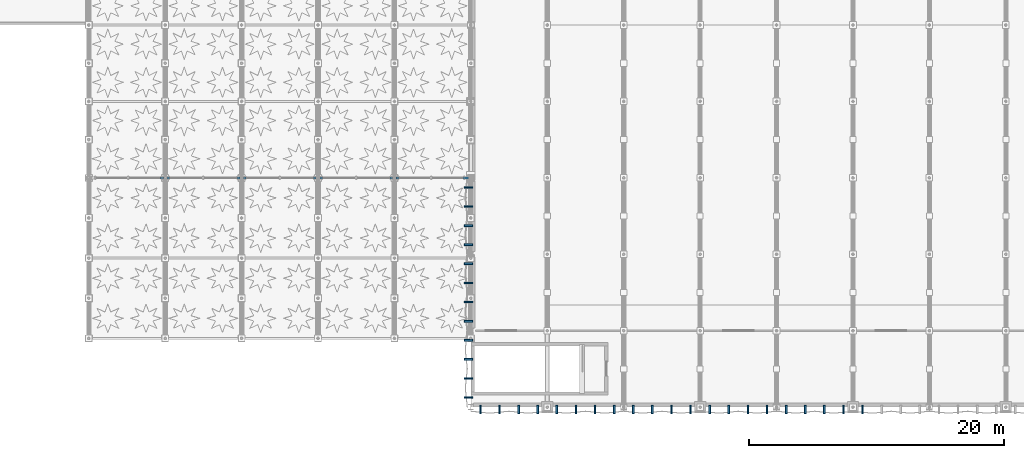
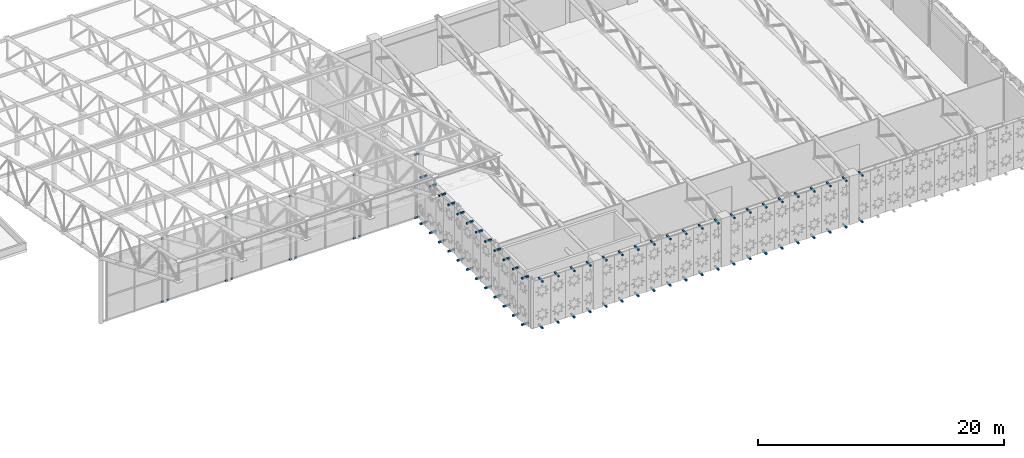
# One storey, part 109 of 123: 84 discrete accessories.
"""IFC4 building model written with IfcOpenShell, lengths in metres."""

from ifc_helpers import new_model, si_unit, direction, frame, origin, origin_2d, place, context, subcontext, project, spatial, rectangle, extrude, material, type_object, element, save


model = new_model("IFC4")

# Units and contexts
model_context = context("Model", 3, precision=1e-05, world=origin(), true_north=direction((0.0, 1.0)))
body_context = subcontext(model_context, "Body", "Model", "MODEL_VIEW")
ifc_project = project(units=[si_unit("LENGTHUNIT", "METRE"), si_unit("AREAUNIT", "SQUARE_METRE"), si_unit("VOLUMEUNIT", "CUBIC_METRE"), si_unit("PLANEANGLEUNIT", "RADIAN"), si_unit("MASSUNIT", "GRAM", prefix="KILO"), si_unit("THERMODYNAMICTEMPERATUREUNIT", "KELVIN"), si_unit("POWERUNIT", "WATT")], contexts=[model_context])

# Site, building, storey
site_placement = place(None, origin())
site = spatial("IfcSite", under=ifc_project, at=site_placement, CompositionType="ELEMENT")
building_placement = place(site_placement, origin())
building = spatial("IfcBuilding", under=site, at=building_placement, Name="Phaisarnlok Congress Hotel", CompositionType="ELEMENT")
storey_placement = place(building_placement, frame((0.0, 0.0, 15.0)))
storey = spatial("IfcBuildingStorey", under=building, at=storey_placement, Name="L03", CompositionType="ELEMENT", Elevation=15.0)

# Discrete accessories
ifc_material = material(Name="Steel S355", Category="steel")
discrete_accessory_type = type_object("IfcDiscreteAccessoryType", Name="ACC-BRK-STL", PredefinedType="BRACKET", material=ifc_material)
for number, where, z_axis, x_axis, name in (
    (1, (71.75, 18.0, 0.0), (0.0, 0.0, 1.0), (1.0, 0.0, 0.0), "Curtain wall steel jamb spider bracket BK-01"),
    (2, (71.75, 18.0, 6.27001953125), (0.0, 0.0, 1.0), (1.0, 0.0, 0.0), "Curtain wall steel jamb spider bracket BK-01"),
    (3, (72.25, 18.0, 0.0), (0.0, 0.0, 1.0), (1.0, 0.0, 0.0), "Curtain wall steel jamb spider bracket BK-01"),
    (4, (72.25, 18.0, 6.27001953125), (0.0, 0.0, 1.0), (1.0, 0.0, 0.0), "Curtain wall steel jamb spider bracket BK-01"),
    (5, (77.75, 18.0, 0.0), (0.0, 0.0, 1.0), (1.0, 0.0, 0.0), "Curtain wall steel jamb spider bracket BK-01"),
    (6, (77.75, 18.0, 6.27001953125), (0.0, 0.0, 1.0), (1.0, 0.0, 0.0), "Curtain wall steel jamb spider bracket BK-01"),
    (7, (78.25, 18.0, 0.0), (0.0, 0.0, 1.0), (1.0, 0.0, 0.0), "Curtain wall steel jamb spider bracket BK-01"),
    (8, (78.25, 18.0, 6.27001953125), (0.0, 0.0, 1.0), (1.0, 0.0, 0.0), "Curtain wall steel jamb spider bracket BK-01"),
    (9, (83.75, 18.0, 0.0), (0.0, 0.0, 1.0), (1.0, 0.0, 0.0), "Curtain wall steel jamb spider bracket BK-01"),
    (10, (83.75, 18.0, 6.27001953125), (0.0, 0.0, 1.0), (1.0, 0.0, 0.0), "Curtain wall steel jamb spider bracket BK-01"),
    (11, (84.25, 18.0, 0.0), (0.0, 0.0, 1.0), (1.0, 0.0, 0.0), "Curtain wall steel jamb spider bracket BK-01"),
    (12, (84.25, 18.0, 6.27001953125), (0.0, 0.0, 1.0), (1.0, 0.0, 0.0), "Curtain wall steel jamb spider bracket BK-01"),
    (13, (89.75, 18.0, 0.0), (0.0, 0.0, 1.0), (1.0, 0.0, 0.0), "Curtain wall steel jamb spider bracket BK-01"),
    (14, (89.75, 18.0, 6.27001953125), (0.0, 0.0, 1.0), (1.0, 0.0, 0.0), "Curtain wall steel jamb spider bracket BK-01"),
    (15, (90.25, 18.0, 0.0), (0.0, 0.0, 1.0), (1.0, 0.0, 0.0), "Curtain wall steel jamb spider bracket BK-01"),
    (16, (90.25, 18.0, 6.27001953125), (0.0, 0.0, 1.0), (1.0, 0.0, 0.0), "Curtain wall steel jamb spider bracket BK-01"),
):
    element("IfcDiscreteAccessory", number, at=place(storey_placement, frame(where, z_axis=z_axis, x_axis=x_axis)), inside=storey, type_object=discrete_accessory_type, Name=name, PredefinedType="BRACKET", context=body_context, shape_type="SweptSolid", body=[
        extrude(rectangle(XDim=0.219970703125, YDim=0.159912109375, at=origin_2d()), origin(), (0.0, 0.0, 1.0), 0.139892578125),
    ])
for number, where, z_axis, x_axis, name in (
    (17, (95.6298828125, 18.0, 0.0), (0.0, 0.0, 1.0), (1.0, 0.0, 0.0), "Curtain wall steel jamb spider bracket BK-01"),
    (18, (95.6298828125, 18.0, 6.27001953125), (0.0, 0.0, 1.0), (1.0, 0.0, 0.0), "Curtain wall steel jamb spider bracket BK-01"),
):
    element("IfcDiscreteAccessory", number, at=place(storey_placement, frame(where, z_axis=z_axis, x_axis=x_axis)), inside=storey, type_object=discrete_accessory_type, Name=name, PredefinedType="BRACKET", context=body_context, shape_type="SweptSolid", body=[
        extrude(rectangle(XDim=0.4599609375, YDim=0.159912109375, at=origin_2d()), origin(), (0.0, 0.0, 1.0), 0.139892578125),
    ])
for number, where, z_axis, x_axis, name in (
    (19, (96.75, -0.183837890625, -0.18017578125), (0.0, 0.0, 1.0), (1.0, 0.0, 0.0), "Solar screen steel outrigger bracket BK-01"),
    (20, (96.75, -0.183837890625, 4.419921875), (0.0, 0.0, 1.0), (1.0, 0.0, 0.0), "Solar screen steel outrigger bracket BK-01"),
    (21, (98.25, -0.183837890625, -0.18017578125), (0.0, 0.0, 1.0), (1.0, 0.0, 0.0), "Solar screen steel outrigger bracket BK-01"),
    (22, (98.25, -0.183837890625, 4.419921875), (0.0, 0.0, 1.0), (1.0, 0.0, 0.0), "Solar screen steel outrigger bracket BK-01"),
    (23, (99.75, -0.183837890625, -0.18017578125), (0.0, 0.0, 1.0), (1.0, 0.0, 0.0), "Solar screen steel outrigger bracket BK-01"),
    (24, (99.75, -0.183837890625, 4.419921875), (0.0, 0.0, 1.0), (1.0, 0.0, 0.0), "Solar screen steel outrigger bracket BK-01"),
    (25, (101.25, -0.183837890625, -0.18017578125), (0.0, 0.0, 1.0), (1.0, 0.0, 0.0), "Solar screen steel outrigger bracket BK-01"),
    (26, (101.25, -0.183837890625, 4.419921875), (0.0, 0.0, 1.0), (1.0, 0.0, 0.0), "Solar screen steel outrigger bracket BK-01"),
    (27, (102.75, -0.183837890625, -0.18017578125), (0.0, 0.0, 1.0), (1.0, 0.0, 0.0), "Solar screen steel outrigger bracket BK-01"),
    (28, (102.75, -0.183837890625, 4.419921875), (0.0, 0.0, 1.0), (1.0, 0.0, 0.0), "Solar screen steel outrigger bracket BK-01"),
    (29, (104.25, -0.183837890625, -0.18017578125), (0.0, 0.0, 1.0), (1.0, 0.0, 0.0), "Solar screen steel outrigger bracket BK-01"),
    (30, (104.25, -0.183837890625, 4.419921875), (0.0, 0.0, 1.0), (1.0, 0.0, 0.0), "Solar screen steel outrigger bracket BK-01"),
    (31, (105.75, -0.183837890625, -0.18017578125), (0.0, 0.0, 1.0), (1.0, 0.0, 0.0), "Solar screen steel outrigger bracket BK-01"),
    (32, (105.75, -0.183837890625, 4.419921875), (0.0, 0.0, 1.0), (1.0, 0.0, 0.0), "Solar screen steel outrigger bracket BK-01"),
    (33, (107.25, -0.183837890625, -0.18017578125), (0.0, 0.0, 1.0), (1.0, 0.0, 0.0), "Solar screen steel outrigger bracket BK-01"),
    (34, (107.25, -0.183837890625, 4.419921875), (0.0, 0.0, 1.0), (1.0, 0.0, 0.0), "Solar screen steel outrigger bracket BK-01"),
    (35, (108.75, -0.183837890625, -0.18017578125), (0.0, 0.0, 1.0), (1.0, 0.0, 0.0), "Solar screen steel outrigger bracket BK-01"),
    (36, (108.75, -0.183837890625, 4.419921875), (0.0, 0.0, 1.0), (1.0, 0.0, 0.0), "Solar screen steel outrigger bracket BK-01"),
    (37, (110.25, -0.183837890625, -0.18017578125), (0.0, 0.0, 1.0), (1.0, 0.0, 0.0), "Solar screen steel outrigger bracket BK-01"),
    (38, (110.25, -0.183837890625, 4.419921875), (0.0, 0.0, 1.0), (1.0, 0.0, 0.0), "Solar screen steel outrigger bracket BK-01"),
    (39, (111.75, -0.183837890625, -0.18017578125), (0.0, 0.0, 1.0), (1.0, 0.0, 0.0), "Solar screen steel outrigger bracket BK-01"),
    (40, (111.75, -0.183837890625, 4.419921875), (0.0, 0.0, 1.0), (1.0, 0.0, 0.0), "Solar screen steel outrigger bracket BK-01"),
    (41, (113.25, -0.183837890625, -0.18017578125), (0.0, 0.0, 1.0), (1.0, 0.0, 0.0), "Solar screen steel outrigger bracket BK-01"),
    (42, (113.25, -0.183837890625, 4.419921875), (0.0, 0.0, 1.0), (1.0, 0.0, 0.0), "Solar screen steel outrigger bracket BK-01"),
    (43, (114.75, -0.183837890625, -0.18017578125), (0.0, 0.0, 1.0), (1.0, 0.0, 0.0), "Solar screen steel outrigger bracket BK-01"),
    (44, (114.75, -0.183837890625, 4.419921875), (0.0, 0.0, 1.0), (1.0, 0.0, 0.0), "Solar screen steel outrigger bracket BK-01"),
    (45, (116.25, -0.183837890625, -0.18017578125), (0.0, 0.0, 1.0), (1.0, 0.0, 0.0), "Solar screen steel outrigger bracket BK-01"),
    (46, (116.25, -0.183837890625, 4.419921875), (0.0, 0.0, 1.0), (1.0, 0.0, 0.0), "Solar screen steel outrigger bracket BK-01"),
    (47, (117.75, -0.183837890625, -0.18017578125), (0.0, 0.0, 1.0), (1.0, 0.0, 0.0), "Solar screen steel outrigger bracket BK-01"),
    (48, (117.75, -0.183837890625, 4.419921875), (0.0, 0.0, 1.0), (1.0, 0.0, 0.0), "Solar screen steel outrigger bracket BK-01"),
    (49, (119.25, -0.183837890625, -0.18017578125), (0.0, 0.0, 1.0), (1.0, 0.0, 0.0), "Solar screen steel outrigger bracket BK-01"),
    (50, (119.25, -0.183837890625, 4.419921875), (0.0, 0.0, 1.0), (1.0, 0.0, 0.0), "Solar screen steel outrigger bracket BK-01"),
    (51, (120.75, -0.183837890625, -0.18017578125), (0.0, 0.0, 1.0), (1.0, 0.0, 0.0), "Solar screen steel outrigger bracket BK-01"),
    (52, (120.75, -0.183837890625, 4.419921875), (0.0, 0.0, 1.0), (1.0, 0.0, 0.0), "Solar screen steel outrigger bracket BK-01"),
    (53, (122.25, -0.183837890625, -0.18017578125), (0.0, 0.0, 1.0), (1.0, 0.0, 0.0), "Solar screen steel outrigger bracket BK-01"),
    (54, (122.25, -0.183837890625, 4.419921875), (0.0, 0.0, 1.0), (1.0, 0.0, 0.0), "Solar screen steel outrigger bracket BK-01"),
    (55, (123.75, -0.183837890625, -0.18017578125), (0.0, 0.0, 1.0), (1.0, 0.0, 0.0), "Solar screen steel outrigger bracket BK-01"),
    (56, (123.75, -0.183837890625, 4.419921875), (0.0, 0.0, 1.0), (1.0, 0.0, 0.0), "Solar screen steel outrigger bracket BK-01"),
    (57, (125.25, -0.183837890625, -0.18017578125), (0.0, 0.0, 1.0), (1.0, 0.0, 0.0), "Solar screen steel outrigger bracket BK-01"),
    (58, (125.25, -0.183837890625, 4.419921875), (0.0, 0.0, 1.0), (1.0, 0.0, 0.0), "Solar screen steel outrigger bracket BK-01"),
    (59, (126.75, -0.183837890625, -0.18017578125), (0.0, 0.0, 1.0), (1.0, 0.0, 0.0), "Solar screen steel outrigger bracket BK-01"),
    (60, (126.75, -0.183837890625, 4.419921875), (0.0, 0.0, 1.0), (1.0, 0.0, 0.0), "Solar screen steel outrigger bracket BK-01"),
):
    element("IfcDiscreteAccessory", number, at=place(storey_placement, frame(where, z_axis=z_axis, x_axis=x_axis)), inside=storey, type_object=discrete_accessory_type, Name=name, PredefinedType="BRACKET", context=body_context, shape_type="SweptSolid", body=[
        extrude(rectangle(XDim=0.139892578125, YDim=0.647705078125, at=origin_2d()), origin(), (0.0, 0.0, 1.0), 0.159912109375),
    ])
for number, where, z_axis, x_axis, name in (
    (61, (95.816162109375, 0.75, -0.18017578125), (0.0, 0.0, 1.0), (1.0, 0.0, 0.0), "Solar screen steel outrigger bracket BK-01"),
    (62, (95.816162109375, 0.75, 4.419921875), (0.0, 0.0, 1.0), (1.0, 0.0, 0.0), "Solar screen steel outrigger bracket BK-01"),
    (63, (95.816162109375, 2.25, -0.18017578125), (0.0, 0.0, 1.0), (1.0, 0.0, 0.0), "Solar screen steel outrigger bracket BK-01"),
    (64, (95.816162109375, 2.25, 4.419921875), (0.0, 0.0, 1.0), (1.0, 0.0, 0.0), "Solar screen steel outrigger bracket BK-01"),
    (65, (95.816162109375, 3.75, -0.18017578125), (0.0, 0.0, 1.0), (1.0, 0.0, 0.0), "Solar screen steel outrigger bracket BK-01"),
    (66, (95.816162109375, 3.75, 4.419921875), (0.0, 0.0, 1.0), (1.0, 0.0, 0.0), "Solar screen steel outrigger bracket BK-01"),
    (67, (95.816162109375, 5.25, -0.18017578125), (0.0, 0.0, 1.0), (1.0, 0.0, 0.0), "Solar screen steel outrigger bracket BK-01"),
    (68, (95.816162109375, 5.25, 4.419921875), (0.0, 0.0, 1.0), (1.0, 0.0, 0.0), "Solar screen steel outrigger bracket BK-01"),
    (69, (95.816162109375, 6.75, -0.18017578125), (0.0, 0.0, 1.0), (1.0, 0.0, 0.0), "Solar screen steel outrigger bracket BK-01"),
    (70, (95.816162109375, 6.75, 4.419921875), (0.0, 0.0, 1.0), (1.0, 0.0, 0.0), "Solar screen steel outrigger bracket BK-01"),
    (71, (95.816162109375, 8.25, -0.18017578125), (0.0, 0.0, 1.0), (1.0, 0.0, 0.0), "Solar screen steel outrigger bracket BK-01"),
    (72, (95.816162109375, 8.25, 4.419921875), (0.0, 0.0, 1.0), (1.0, 0.0, 0.0), "Solar screen steel outrigger bracket BK-01"),
    (73, (95.816162109375, 9.75, -0.18017578125), (0.0, 0.0, 1.0), (1.0, 0.0, 0.0), "Solar screen steel outrigger bracket BK-01"),
    (74, (95.816162109375, 9.75, 4.419921875), (0.0, 0.0, 1.0), (1.0, 0.0, 0.0), "Solar screen steel outrigger bracket BK-01"),
    (75, (95.816162109375, 11.25, -0.18017578125), (0.0, 0.0, 1.0), (1.0, 0.0, 0.0), "Solar screen steel outrigger bracket BK-01"),
    (76, (95.816162109375, 11.25, 4.419921875), (0.0, 0.0, 1.0), (1.0, 0.0, 0.0), "Solar screen steel outrigger bracket BK-01"),
    (77, (95.816162109375, 12.75, -0.18017578125), (0.0, 0.0, 1.0), (1.0, 0.0, 0.0), "Solar screen steel outrigger bracket BK-01"),
    (78, (95.816162109375, 12.75, 4.419921875), (0.0, 0.0, 1.0), (1.0, 0.0, 0.0), "Solar screen steel outrigger bracket BK-01"),
    (79, (95.816162109375, 14.25, -0.18017578125), (0.0, 0.0, 1.0), (1.0, 0.0, 0.0), "Solar screen steel outrigger bracket BK-01"),
    (80, (95.816162109375, 14.25, 4.419921875), (0.0, 0.0, 1.0), (1.0, 0.0, 0.0), "Solar screen steel outrigger bracket BK-01"),
    (81, (95.816162109375, 15.75, -0.18017578125), (0.0, 0.0, 1.0), (1.0, 0.0, 0.0), "Solar screen steel outrigger bracket BK-01"),
    (82, (95.816162109375, 15.75, 4.419921875), (0.0, 0.0, 1.0), (1.0, 0.0, 0.0), "Solar screen steel outrigger bracket BK-01"),
    (83, (95.816162109375, 17.25, -0.18017578125), (0.0, 0.0, 1.0), (1.0, 0.0, 0.0), "Solar screen steel outrigger bracket BK-01"),
    (84, (95.816162109375, 17.25, 4.419921875), (0.0, 0.0, 1.0), (1.0, 0.0, 0.0), "Solar screen steel outrigger bracket BK-01"),
):
    element("IfcDiscreteAccessory", number, at=place(storey_placement, frame(where, z_axis=z_axis, x_axis=x_axis)), inside=storey, type_object=discrete_accessory_type, Name=name, PredefinedType="BRACKET", context=body_context, shape_type="SweptSolid", body=[
        extrude(rectangle(XDim=0.647705078125, YDim=0.139892578125, at=origin_2d()), origin(), (0.0, 0.0, 1.0), 0.159912109375),
    ])

save(model, "model.ifc")
